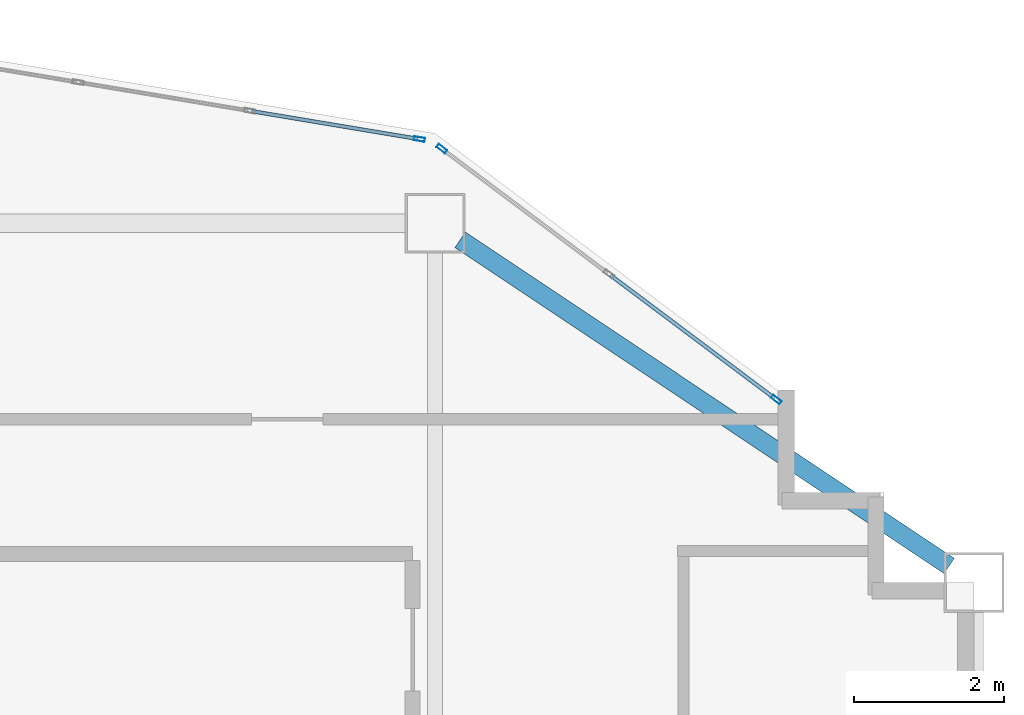
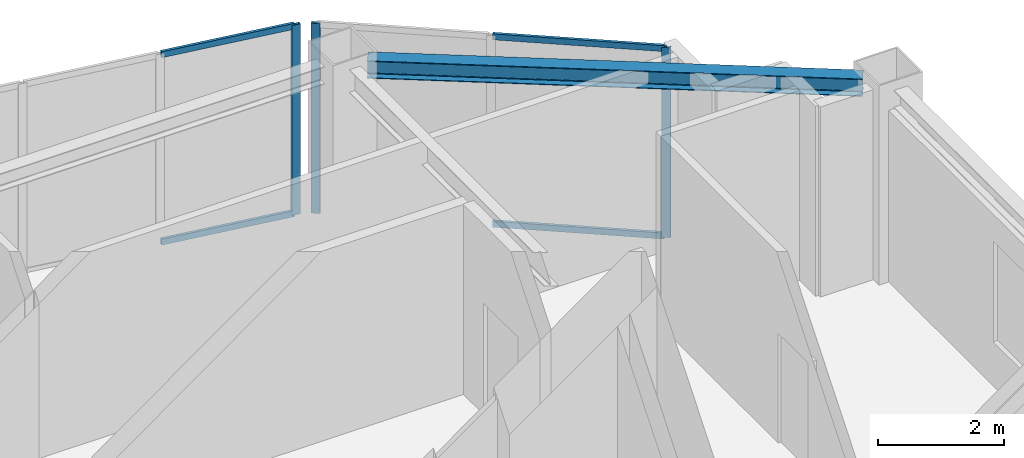
# One storey, part 3 of 10: 7 members, 1 beam, 2 elements without a shape of their own.
"""IFC4 building model written with IfcOpenShell, lengths in metres."""

from ifc_helpers import new_model, si_unit, direction, frame, origin, origin_2d, place, context, subcontext, project, spatial, hollow_rectangle, i_section, extrude, material, layer, layer_set, material_profile, profile_set, type_object, element, aggregate, save


model = new_model("IFC4")

# Units and contexts
model_context = context("Model", 3, precision=1e-05, world=origin(), true_north=direction((0.0, 1.0)))
body_context = subcontext(model_context, "Body", "Model", "MODEL_VIEW")
ifc_project = project(units=[si_unit("LENGTHUNIT", "METRE"), si_unit("AREAUNIT", "SQUARE_METRE"), si_unit("VOLUMEUNIT", "CUBIC_METRE"), si_unit("PLANEANGLEUNIT", "RADIAN"), si_unit("MASSUNIT", "GRAM", prefix="KILO")], contexts=[model_context])

# Site, building, storey
site_placement = place(None, origin())
site = spatial("IfcSite", under=ifc_project, at=site_placement, CompositionType="ELEMENT")
building_placement = place(site_placement, origin())
building = spatial("IfcBuilding", under=site, at=building_placement, Name="Haolan Belvedere Tower", CompositionType="ELEMENT")
storey_placement = place(building_placement, frame((0.0, 0.0, 246.75)))
storey = spatial("IfcBuildingStorey", under=building, at=storey_placement, Name="L62", CompositionType="ELEMENT", Elevation=246.75)

# Beam
ifc_material_1 = material(Name="Steel Q355B", Category="steel")
ifc_material_profile_1 = material_profile(ifc_material_1, i_section(OverallWidth=0.25, OverallDepth=0.340087890625, WebThickness=0.009033203125, FlangeThickness=0.013916015625, FilletRadius=0.02001953125, at=origin_2d()), Name="Steel Q355B")
ifc_profile_set_1 = profile_set([ifc_material_profile_1], Name="Steel Q355B")
beam_type = type_object("IfcBeamType", Name="BM-HM340x250x9x14", PredefinedType="SPANDREL", material=ifc_profile_set_1)
beam_placement = place(storey_placement, frame((45.932861328125, 50.17822265625, 3.5), z_axis=(0.832040729016, -0.55471454394, 0.0), x_axis=(0.55471454394, 0.832040729016, 0.0)))
element("IfcBeam", 1, at=beam_placement, inside=storey, type_object=beam_type, Name="L62 spandrel girder MC-T3-N2-MC-T3-NE", PredefinedType="SPANDREL", context=body_context, shape_type="SweptSolid", body=[
    extrude(i_section(OverallWidth=0.25, OverallDepth=0.340087890625, WebThickness=0.009033203125, FlangeThickness=0.013916015625, FilletRadius=0.02001953125, at=origin_2d()), origin(), (0.0, 0.0, 1.0), 7.853515625),
])

# Curtain wall, members
ifc_material_2 = material(Name="Anodised champagne-silver aluminium 6063-T6 and Low-E glass", Category="aluminium")
ifc_layer = layer(ifc_material_2, 0.14501953125, Name="Anodised champagne-silver aluminium 6063-T6 and Low-E glass")
ifc_layer_set = layer_set([ifc_layer], Name="Anodised champagne-silver aluminium 6063-T6 and Low-E glass")
curtain_wall_type = type_object("IfcCurtainWallType", Name="CW-SYS-05", PredefinedType="NOTDEFINED", material=ifc_layer_set)
curtain_wall_1_placement = place(storey_placement, origin())
curtain_wall_1 = element("IfcCurtainWall", 2, at=curtain_wall_1_placement, inside=storey, type_object=curtain_wall_type, Name="L62 CW-SYS-05 ribbon curtain wall 8.1", PredefinedType="NOTDEFINED")
ifc_material_3 = material(Name="Anodised aluminium 6063-T6", Category="aluminium")
ifc_material_profile_2 = material_profile(ifc_material_3, hollow_rectangle(XDim=0.053955078125, YDim=0.14501953125, WallThickness=0.00390625, at=origin_2d()), Name="Anodised aluminium 6063-T6")
ifc_profile_set_2 = profile_set([ifc_material_profile_2], Name="Anodised aluminium 6063-T6")
member_type_1 = type_object("IfcMemberType", Name="CW-SYS-05-MUL", PredefinedType="MULLION", material=ifc_profile_set_2)
member_1_placement = place(storey_placement, frame((50.156494140625, 48.045166015625, 0.0), z_axis=(0.0, 0.0, 1.0), x_axis=(-0.600002837806, -0.799997871638, 0.0)))
member_1 = element("IfcMember", 3, at=member_1_placement, type_object=member_type_1, Name="CW-05 mullion 1", PredefinedType="MULLION", context=body_context, shape_type="SweptSolid", body=[
    extrude(hollow_rectangle(XDim=0.053955078125, YDim=0.14501953125, WallThickness=0.00390625, at=origin_2d()), origin(), (0.0, 0.0, 1.0), 3.669921875),
])
member_2_placement = place(storey_placement, frame((45.689208984375, 51.395751953125, 0.0), z_axis=(0.0, 0.0, 1.0), x_axis=(-0.600002837806, -0.799997871638, 0.0)))
member_2 = element("IfcMember", 4, at=member_2_placement, type_object=member_type_1, Name="CW-05 mullion 3", PredefinedType="MULLION", context=body_context, shape_type="SweptSolid", body=[
    extrude(hollow_rectangle(XDim=0.053955078125, YDim=0.14501953125, WallThickness=0.00390625, at=origin_2d()), origin(), (0.0, 0.0, 1.0), 3.669921875),
])

# Curtain wall, member
curtain_wall_2_placement = place(storey_placement, origin())
curtain_wall_2 = element("IfcCurtainWall", 5, at=curtain_wall_2_placement, inside=storey, type_object=curtain_wall_type, Name="L62 CW-SYS-05 ribbon curtain wall 9.1", PredefinedType="NOTDEFINED")
member_3_placement = place(storey_placement, frame((45.390869140625, 51.5234375, 0.0), z_axis=(0.0, 0.0, 1.0), x_axis=(-0.164405962825, -0.98639276122, 0.0)))
member_3 = element("IfcMember", 6, at=member_3_placement, type_object=member_type_1, Name="CW-05 mullion 1", PredefinedType="MULLION", context=body_context, shape_type="SweptSolid", body=[
    extrude(hollow_rectangle(XDim=0.053955078125, YDim=0.14501953125, WallThickness=0.00390625, at=origin_2d()), origin(), (0.0, 0.0, 1.0), 3.669921875),
])

# Member
ifc_material_profile_3 = material_profile(ifc_material_3, hollow_rectangle(XDim=0.050048828125, YDim=0.114990234375, WallThickness=0.00390625, at=origin_2d()), Name="Anodised aluminium 6063-T6")
ifc_profile_set_3 = profile_set([ifc_material_profile_3], Name="Anodised aluminium 6063-T6")
member_type_2 = type_object("IfcMemberType", Name="CW-SYS-05-TRN", PredefinedType="USERDEFINED", material=ifc_profile_set_3)
member_4_placement = place(storey_placement, frame((50.134765625, 48.061279296875, 0.02490234375), z_axis=(-0.799957200433, 0.60005706185, 0.0), x_axis=(-0.60005706185, -0.799957200433, 0.0)))
member_4 = element("IfcMember", 7, at=member_4_placement, type_object=member_type_2, Name="CW-05 transom 1.1", ObjectType="TRANSOM", PredefinedType="USERDEFINED", context=body_context, shape_type="SweptSolid", body=[
    extrude(hollow_rectangle(XDim=0.050048828125, YDim=0.114990234375, WallThickness=0.00390625, at=origin_2d()), origin(), (0.0, 0.0, 1.0), 2.73828125),
])

member_5_placement = place(storey_placement, frame((50.134765625, 48.061279296875, 3.64501953125), z_axis=(-0.799957200433, 0.60005706185, 0.0), x_axis=(-0.60005706185, -0.799957200433, 0.0)))
member_5 = element("IfcMember", 8, at=member_5_placement, type_object=member_type_2, Name="CW-05 transom 1.2", ObjectType="TRANSOM", PredefinedType="USERDEFINED", context=body_context, shape_type="SweptSolid", body=[
    extrude(hollow_rectangle(XDim=0.050048828125, YDim=0.114990234375, WallThickness=0.00390625, at=origin_2d()), origin(), (0.0, 0.0, 1.0), 2.73828125),
])

aggregate(curtain_wall_1, [member_1, member_2, member_4, member_5])

member_6_placement = place(storey_placement, frame((45.364013671875, 51.52783203125, 0.02490234375), z_axis=(-0.986390982779, 0.164416632651, 0.0), x_axis=(-0.164416632651, -0.986390982779, 0.0)))
member_6 = element("IfcMember", 9, at=member_6_placement, type_object=member_type_2, Name="CW-05 transom 1.1", ObjectType="TRANSOM", PredefinedType="USERDEFINED", context=body_context, shape_type="SweptSolid", body=[
    extrude(hollow_rectangle(XDim=0.050048828125, YDim=0.114990234375, WallThickness=0.00390625, at=origin_2d()), origin(), (0.0, 0.0, 1.0), 2.24365234375),
])

member_7_placement = place(storey_placement, frame((45.364013671875, 51.52783203125, 3.64501953125), z_axis=(-0.986390982779, 0.164416632651, 0.0), x_axis=(-0.164416632651, -0.986390982779, 0.0)))
member_7 = element("IfcMember", 10, at=member_7_placement, type_object=member_type_2, Name="CW-05 transom 1.2", ObjectType="TRANSOM", PredefinedType="USERDEFINED", context=body_context, shape_type="SweptSolid", body=[
    extrude(hollow_rectangle(XDim=0.050048828125, YDim=0.114990234375, WallThickness=0.00390625, at=origin_2d()), origin(), (0.0, 0.0, 1.0), 2.24365234375),
])

aggregate(curtain_wall_2, [member_3, member_6, member_7])

save(model, "model.ifc")
